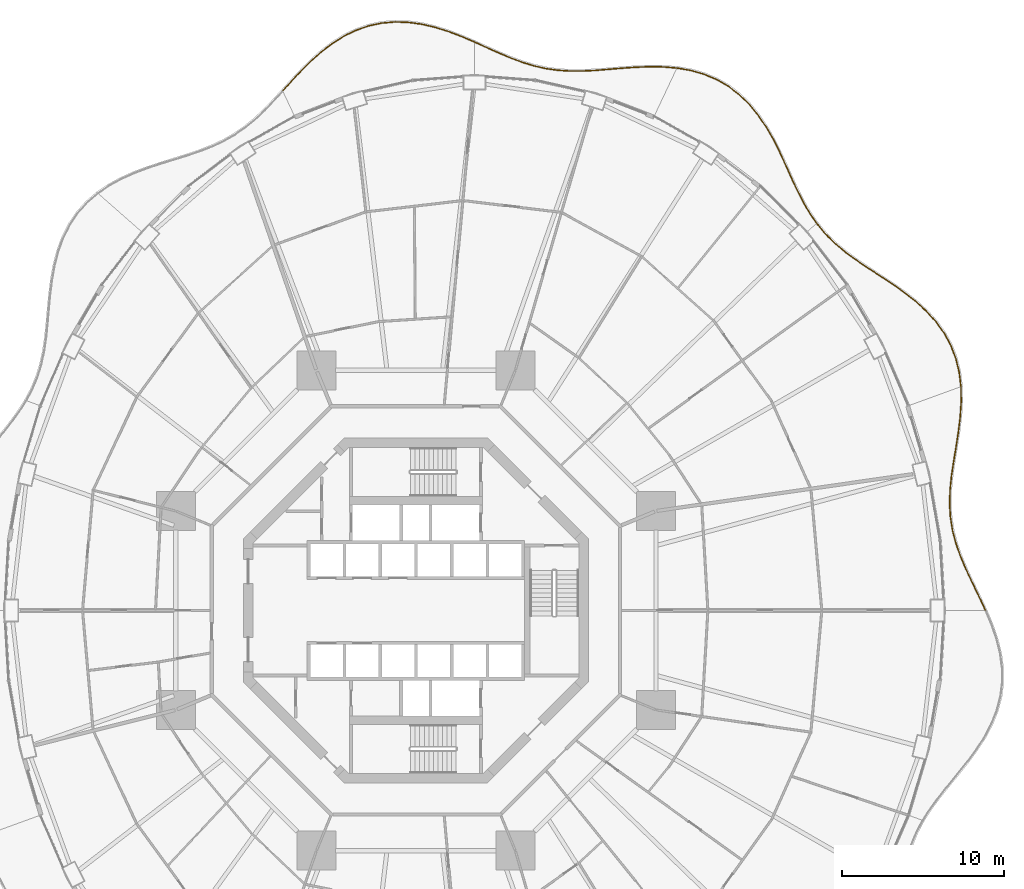
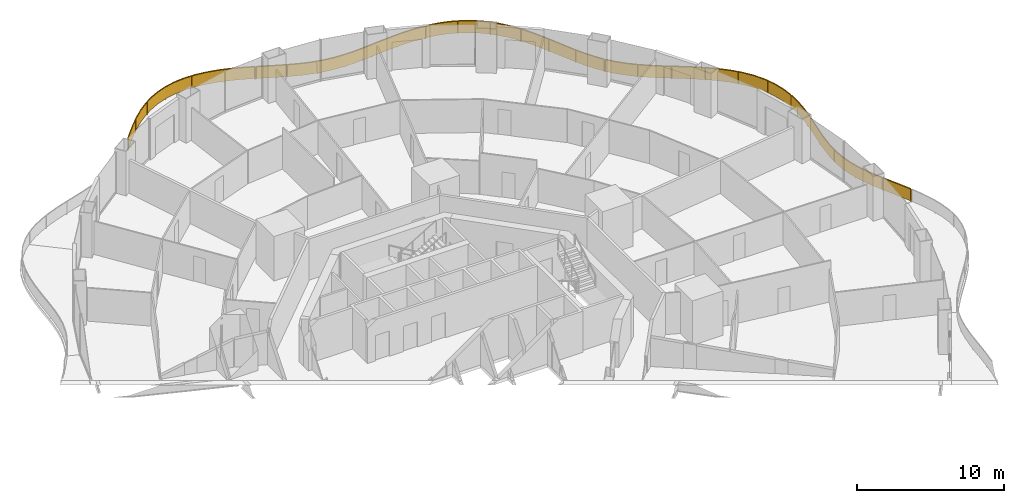
# One storey, part 21 of 21: 5 railings.
"""IFC4 building model written with IfcOpenShell, lengths in metres."""

from ifc_helpers import new_model, si_unit, direction, frame, origin, origin_2d, place, context, subcontext, project, spatial, polyline, rectangle, outline, extrude, material, type_object, element, save


model = new_model("IFC4")

# Units and contexts
model_context = context("Model", 3, precision=1e-05, world=origin(), true_north=direction((0.0, 1.0)))
body_context = subcontext(model_context, "Body", "Model", "MODEL_VIEW")
ifc_project = project(units=[si_unit("LENGTHUNIT", "METRE"), si_unit("AREAUNIT", "SQUARE_METRE"), si_unit("VOLUMEUNIT", "CUBIC_METRE"), si_unit("PLANEANGLEUNIT", "RADIAN"), si_unit("MASSUNIT", "GRAM", prefix="KILO")], contexts=[model_context])

# Site, building, storey
site_placement = place(None, origin())
site = spatial("IfcSite", under=ifc_project, at=site_placement, CompositionType="ELEMENT")
building_placement = place(site_placement, origin())
building = spatial("IfcBuilding", under=site, at=building_placement, Name="Nagisa Residences", CompositionType="ELEMENT")
storey_placement = place(building_placement, frame((0.0, 0.0, 60.300048828125)))
storey = spatial("IfcBuildingStorey", under=building, at=storey_placement, Name="L14", CompositionType="ELEMENT", Elevation=60.300048828125)

# Railings
ifc_material = material(Name="Stainless steel 316", Category="steel")
railing_type = type_object("IfcRailingType", Name="BALCONY GUARD 1100", PredefinedType="BALUSTRADE", material=ifc_material)
railing_1_placement = place(storey_placement, frame((35.0478515625, 0.03466796875, 0.0)))
element("IfcRailing", 1, at=railing_1_placement, inside=storey, type_object=railing_type, Name="guard:L14:bal00-0", PredefinedType="BALUSTRADE", context=body_context, shape_type="SweptSolid", body=[
    extrude(outline(polyline([(-0.40283203125, 0.800048828125), (-0.022705078125, -0.0107421875), (0.022705078125, 0.0107421875), (-0.357421875, 0.821533203125), (-0.762451171875, 1.6572265625), (-1.14892578125, 2.47802734375), (-1.493896484375, 3.287109375), (-1.778564453125, 4.09033203125), (-1.98779296875, 4.880615234375), (-2.117919921875, 5.69189453125), (-2.167236328125, 6.51708984375), (-2.142822265625, 7.361328125), (-2.056640625, 8.228271484375), (-1.9248046875, 9.104736328125), (-1.775634765625, 10.0166015625), (-1.630859375, 10.945068359375), (-1.516845703125, 11.883544921875), (-1.457275390625, 12.822509765625), (-1.472412109375, 13.705078125), (-1.522216796875, 13.7041015625), (-1.507568359375, 12.823486328125), (-1.566650390625, 11.887939453125), (-1.6806640625, 10.951904296875), (-1.824951171875, 10.0244140625), (-1.97412109375, 9.112548828125), (-2.1064453125, 8.234619140625), (-2.192626953125, 7.36474609375), (-2.217529296875, 6.51611328125), (-2.167724609375, 5.6865234375), (-2.03662109375, 4.870361328125), (-1.826416015625, 4.07568359375), (-1.540771484375, 3.26904296875), (-1.19482421875, 2.45751953125), (-0.807373046875, 1.6357421875), (-0.40283203125, 0.800048828125)])), frame((0.0, 0.0, 1.050048828125)), (0.0, 0.0, 1.0), 0.050048828125),
    extrude(outline(polyline([(-0.386474609375, 0.807861328125), (-0.00634765625, -0.0029296875), (0.00634765625, 0.0029296875), (-0.373779296875, 0.813720703125), (-0.778564453125, 1.6494140625), (-1.16552734375, 2.470703125), (-1.5107421875, 3.280517578125), (-1.7958984375, 4.0849609375), (-2.00537109375, 4.876953125), (-2.1357421875, 5.68994140625), (-2.185302734375, 6.5166015625), (-2.16064453125, 7.362548828125), (-2.07470703125, 8.23046875), (-1.942626953125, 9.107666015625), (-1.79345703125, 10.019287109375), (-1.64892578125, 10.947509765625), (-1.53466796875, 11.885009765625), (-1.475341796875, 12.82275390625), (-1.490234375, 13.70458984375), (-1.50439453125, 13.70458984375), (-1.489501953125, 12.8232421875), (-1.548828125, 11.886474609375), (-1.66259765625, 10.949462890625), (-1.80712890625, 10.021728515625), (-1.956298828125, 9.109619140625), (-2.08837890625, 8.232421875), (-2.1748046875, 7.363525390625), (-2.199462890625, 6.5166015625), (-2.14990234375, 5.6884765625), (-2.01904296875, 4.8740234375), (-1.80908203125, 4.0810546875), (-1.52392578125, 3.275634765625), (-1.17822265625, 2.46484375), (-0.791259765625, 1.6435546875), (-0.386474609375, 0.807861328125)])), frame((0.0, 0.0, 0.06005859375)), (0.0, 0.0, 1.0), 0.989990234375),
    extrude(rectangle(XDim=0.0400390625, YDim=0.0400390625, at=origin_2d()), origin(), (0.0, 0.0, 1.0), 1.050048828125),
    extrude(rectangle(XDim=0.0400390625, YDim=0.0400390625, at=origin_2d()), frame((-1.014404296875, 2.133544921875, 0.0)), (0.0, 0.0, 1.0), 1.050048828125),
    extrude(rectangle(XDim=0.0400390625, YDim=0.0400390625, at=origin_2d()), frame((-1.868408203125, 4.33251953125, 0.0)), (0.0, 0.0, 1.0), 1.050048828125),
    extrude(rectangle(XDim=0.0400390625, YDim=0.0400390625, at=origin_2d()), frame((-2.18798828125, 6.6640625, 0.0)), (0.0, 0.0, 1.0), 1.050048828125),
    extrude(rectangle(XDim=0.0400390625, YDim=0.0400390625, at=origin_2d()), frame((-1.9638671875, 9.01318359375, 0.0)), (0.0, 0.0, 1.0), 1.050048828125),
    extrude(rectangle(XDim=0.0400390625, YDim=0.0400390625, at=origin_2d()), frame((-1.607177734375, 11.34814453125, 0.0)), (0.0, 0.0, 1.0), 1.050048828125),
    extrude(rectangle(XDim=0.0400390625, YDim=0.0400390625, at=origin_2d()), frame((-1.497314453125, 13.70458984375, 0.0)), (0.0, 0.0, 1.0), 1.050048828125),
])
railing_2_placement = place(storey_placement, frame((33.5458984375, 13.81640625, 0.0)))
element("IfcRailing", 2, at=railing_2_placement, inside=storey, type_object=railing_type, Name="guard:L14:bal01-0", PredefinedType="BALUSTRADE", context=body_context, shape_type="SweptSolid", body=[
    extrude(outline(polyline([(-0.1240234375, 0.828369140625), (-0.02490234375, -0.0029296875), (0.02490234375, 0.0029296875), (-0.07470703125, 0.837158203125), (-0.28076171875, 1.688232421875), (-0.591796875, 2.5), (-1.007080078125, 3.265869140625), (-1.520263671875, 3.981201171875), (-2.11328125, 4.630859375), (-2.78369140625, 5.242919921875), (-3.505126953125, 5.8095703125), (-4.25732421875, 6.33935546875), (-5.018798828125, 6.8427734375), (-5.760498046875, 7.320068359375), (-6.482177734375, 7.810791015625), (-7.16015625, 8.3154296875), (-7.784912109375, 8.847412109375), (-8.35205078125, 9.417724609375), (-8.8349609375, 10.002685546875), (-8.87353515625, 9.970947265625), (-8.38916015625, 9.384033203125), (-7.819091796875, 8.810791015625), (-7.19140625, 8.2763671875), (-6.510986328125, 7.769775390625), (-5.788330078125, 7.278564453125), (-5.046142578125, 6.80078125), (-4.28564453125, 6.2978515625), (-3.534912109375, 5.76953125), (-2.81591796875, 5.204833984375), (-2.14892578125, 4.59521484375), (-1.559326171875, 3.949462890625), (-1.049560546875, 3.239013671875), (-0.63720703125, 2.47900390625), (-0.32861328125, 1.673095703125), (-0.1240234375, 0.828369140625)])), frame((0.0, 0.0, 1.050048828125)), (0.0, 0.0, 1.0), 0.050048828125),
    extrude(outline(polyline([(-0.106201171875, 0.83154296875), (-0.0068359375, -0.000732421875), (0.0068359375, 0.000732421875), (-0.092529296875, 0.833984375), (-0.298095703125, 1.682861328125), (-0.608154296875, 2.492431640625), (-1.0224609375, 3.256103515625), (-1.534423828125, 3.9697265625), (-2.126220703125, 4.617919921875), (-2.795166015625, 5.229248046875), (-3.515869140625, 5.795166015625), (-4.267578125, 6.324462890625), (-5.028564453125, 6.82763671875), (-5.7705078125, 7.30517578125), (-6.492431640625, 7.7958984375), (-7.17138671875, 8.30126953125), (-7.79736328125, 8.834228515625), (-8.365478515625, 9.405517578125), (-8.848876953125, 9.9912109375), (-8.859619140625, 9.982421875), (-8.375732421875, 9.396240234375), (-7.806640625, 8.823974609375), (-7.18017578125, 8.29052734375), (-6.500732421875, 7.78466796875), (-5.7783203125, 7.29345703125), (-5.036376953125, 6.81591796875), (-4.275390625, 6.312744140625), (-3.524169921875, 5.783935546875), (-2.804443359375, 5.218505859375), (-2.135986328125, 4.608154296875), (-1.545166015625, 3.9609375), (-1.0341796875, 3.248779296875), (-0.620849609375, 2.486572265625), (-0.311279296875, 1.678466796875), (-0.106201171875, 0.83154296875)])), frame((0.0, 0.0, 0.06005859375)), (0.0, 0.0, 1.0), 0.989990234375),
    extrude(rectangle(XDim=0.0400390625, YDim=0.0400390625, at=origin_2d()), origin(), (0.0, 0.0, 1.0), 1.050048828125),
    extrude(rectangle(XDim=0.0400390625, YDim=0.0400390625, at=origin_2d()), frame((-0.517822265625, 2.2373046875, 0.0)), (0.0, 0.0, 1.0), 1.050048828125),
    extrude(rectangle(XDim=0.0400390625, YDim=0.0400390625, at=origin_2d()), frame((-1.736572265625, 4.180908203125, 0.0)), (0.0, 0.0, 1.0), 1.050048828125),
    extrude(rectangle(XDim=0.0400390625, YDim=0.0400390625, at=origin_2d()), frame((-3.44189453125, 5.72802734375, 0.0)), (0.0, 0.0, 1.0), 1.050048828125),
    extrude(rectangle(XDim=0.0400390625, YDim=0.0400390625, at=origin_2d()), frame((-5.34912109375, 7.025634765625, 0.0)), (0.0, 0.0, 1.0), 1.050048828125),
    extrude(rectangle(XDim=0.0400390625, YDim=0.0400390625, at=origin_2d()), frame((-7.23779296875, 8.3486328125, 0.0)), (0.0, 0.0, 1.0), 1.050048828125),
    extrude(rectangle(XDim=0.0400390625, YDim=0.0400390625, at=origin_2d()), frame((-8.854248046875, 9.98681640625, 0.0)), (0.0, 0.0, 1.0), 1.050048828125),
])
railing_3_placement = place(storey_placement, frame((24.65087890625, 23.85888671875, 0.0)))
element("IfcRailing", 3, at=railing_3_placement, inside=storey, type_object=railing_type, Name="guard:L14:bal02-0", PredefinedType="BALUSTRADE", context=body_context, shape_type="SweptSolid", body=[
    extrude(outline(polyline([(-0.4345703125, 0.58837890625), (-0.0205078125, -0.01416015625), (0.0205078125, 0.01416015625), (-0.39208984375, 0.615234375), (-0.7890625, 1.29638671875), (-1.15771484375, 2.0205078125), (-1.51171875, 2.780029296875), (-1.86572265625, 3.5634765625), (-2.222412109375, 4.34765625), (-2.62060546875, 5.137451171875), (-3.060546875, 5.904541015625), (-3.55224609375, 6.632080078125), (-4.102783203125, 7.303466796875), (-4.70361328125, 7.8955078125), (-5.37744140625, 8.412353515625), (-6.111572265625, 8.839599609375), (-6.89794921875, 9.171875), (-7.727294921875, 9.41064453125), (-8.5419921875, 9.55126953125), (-8.55029296875, 9.501953125), (-7.738525390625, 9.36181640625), (-6.91455078125, 9.12451171875), (-6.134033203125, 8.794677734375), (-5.4052734375, 8.370849609375), (-4.736328125, 7.85791015625), (-4.139892578125, 7.269775390625), (-3.59228515625, 6.602294921875), (-3.10302734375, 5.878173828125), (-2.66455078125, 5.113525390625), (-2.267333984375, 4.326171875), (-1.9111328125, 3.54296875), (-1.55712890625, 2.759033203125), (-1.20263671875, 1.99853515625), (-0.8330078125, 1.2724609375), (-0.4345703125, 0.58837890625)])), frame((0.0, 0.0, 1.050048828125)), (0.0, 0.0, 1.0), 0.050048828125),
    extrude(outline(polyline([(-0.419189453125, 0.59814453125), (-0.005859375, -0.00390625), (0.005859375, 0.00390625), (-0.407470703125, 0.60546875), (-0.804931640625, 1.287841796875), (-1.173828125, 2.0126953125), (-1.528076171875, 2.7724609375), (-1.882080078125, 3.55615234375), (-2.238525390625, 4.33984375), (-2.636474609375, 5.12890625), (-3.075927734375, 5.89501953125), (-3.566650390625, 6.621337890625), (-4.1162109375, 7.291259765625), (-4.71533203125, 7.882080078125), (-5.387451171875, 8.3974609375), (-6.11962890625, 8.823486328125), (-6.90380859375, 9.15478515625), (-7.7314453125, 9.39306640625), (-8.544921875, 9.533447265625), (-8.54736328125, 9.519775390625), (-7.734375, 9.37939453125), (-6.90869140625, 9.1416015625), (-6.1259765625, 8.810791015625), (-5.395263671875, 8.3857421875), (-4.724609375, 7.871337890625), (-4.12646484375, 7.281982421875), (-3.577880859375, 6.613037109375), (-3.087646484375, 5.8876953125), (-2.648681640625, 5.1220703125), (-2.251220703125, 4.333984375), (-1.894775390625, 3.55029296875), (-1.540771484375, 2.7666015625), (-1.1865234375, 2.00634765625), (-0.817138671875, 1.281005859375), (-0.419189453125, 0.59814453125)])), frame((0.0, 0.0, 0.06005859375)), (0.0, 0.0, 1.0), 0.989990234375),
    extrude(rectangle(XDim=0.0400390625, YDim=0.0400390625, at=origin_2d()), origin(), (0.0, 0.0, 1.0), 1.050048828125),
    extrude(rectangle(XDim=0.0400390625, YDim=0.0400390625, at=origin_2d()), frame((-1.139892578125, 1.930419921875, 0.0)), (0.0, 0.0, 1.0), 1.050048828125),
    extrude(rectangle(XDim=0.0400390625, YDim=0.0400390625, at=origin_2d()), frame((-2.077880859375, 3.969970703125, 0.0)), (0.0, 0.0, 1.0), 1.050048828125),
    extrude(rectangle(XDim=0.0400390625, YDim=0.0400390625, at=origin_2d()), frame((-3.124267578125, 5.9541015625, 0.0)), (0.0, 0.0, 1.0), 1.050048828125),
    extrude(rectangle(XDim=0.0400390625, YDim=0.0400390625, at=origin_2d()), frame((-4.53369140625, 7.693115234375, 0.0)), (0.0, 0.0, 1.0), 1.050048828125),
    extrude(rectangle(XDim=0.0400390625, YDim=0.0400390625, at=origin_2d()), frame((-6.390869140625, 8.930419921875, 0.0)), (0.0, 0.0, 1.0), 1.050048828125),
    extrude(rectangle(XDim=0.0400390625, YDim=0.0400390625, at=origin_2d()), frame((-8.546142578125, 9.526611328125, 0.0)), (0.0, 0.0, 1.0), 1.050048828125),
])
railing_4_placement = place(storey_placement, frame((16.02783203125, 33.39453125, 0.0)))
element("IfcRailing", 4, at=railing_4_placement, inside=storey, type_object=railing_type, Name="guard:L14:bal03-0", PredefinedType="BALUSTRADE", context=body_context, shape_type="SweptSolid", body=[
    extrude(outline(polyline([(-0.802490234375, 0.040771484375), (-0.001953125, -0.02490234375), (0.001953125, 0.02490234375), (-0.800048828125, 0.090576171875), (-1.658447265625, 0.10302734375), (-2.51611328125, 0.070556640625), (-3.36376953125, 0.010986328125), (-4.19580078125, -0.058349609375), (-4.990478515625, -0.125244140625), (-5.779296875, -0.16259765625), (-6.54638671875, -0.16259765625), (-7.29345703125, -0.114013671875), (-8.02587890625, -0.010009765625), (-8.7314453125, 0.149658203125), (-9.451904296875, 0.3681640625), (-10.176025390625, 0.636962890625), (-10.910400390625, 0.945556640625), (-11.659423828125, 1.280029296875), (-12.383056640625, 1.607177734375), (-12.403564453125, 1.561767578125), (-11.679931640625, 1.234619140625), (-10.930419921875, 0.899658203125), (-10.194580078125, 0.590576171875), (-9.468017578125, 0.32080078125), (-8.744140625, 0.101318359375), (-8.03515625, -0.059326171875), (-7.298828125, -0.163818359375), (-6.5478515625, -0.212890625), (-5.7783203125, -0.212890625), (-4.987060546875, -0.175048828125), (-4.19140625, -0.108154296875), (-3.35986328125, -0.038818359375), (-2.51318359375, 0.020751953125), (-1.657958984375, 0.052734375), (-0.802490234375, 0.040771484375)])), frame((0.0, 0.0, 1.050048828125)), (0.0, 0.0, 1.0), 0.050048828125),
    extrude(outline(polyline([(-0.801513671875, 0.05859375), (-0.00048828125, -0.007080078125), (0.00048828125, 0.007080078125), (-0.801025390625, 0.07275390625), (-1.658203125, 0.0849609375), (-2.51513671875, 0.052734375), (-3.3623046875, -0.0068359375), (-4.194091796875, -0.076171875), (-4.9892578125, -0.14306640625), (-5.779052734375, -0.1806640625), (-6.546875, -0.1806640625), (-7.29541015625, -0.1318359375), (-8.029296875, -0.02783203125), (-8.736083984375, 0.13232421875), (-9.457763671875, 0.35107421875), (-10.1826171875, 0.620361328125), (-10.917724609375, 0.928955078125), (-11.666748046875, 1.263671875), (-12.390380859375, 1.5908203125), (-12.396240234375, 1.578125), (-11.672607421875, 1.2509765625), (-10.923095703125, 0.916259765625), (-10.18798828125, 0.607177734375), (-9.462158203125, 0.337890625), (-8.739501953125, 0.11865234375), (-8.03173828125, -0.04150390625), (-7.296875, -0.14599609375), (-6.54736328125, -0.19482421875), (-5.778564453125, -0.19482421875), (-4.98828125, -0.1572265625), (-4.193115234375, -0.09033203125), (-3.361328125, -0.02099609375), (-2.51416015625, 0.03857421875), (-1.658203125, 0.07080078125), (-0.801513671875, 0.05859375)])), frame((0.0, 0.0, 0.06005859375)), (0.0, 0.0, 1.0), 0.989990234375),
    extrude(rectangle(XDim=0.0400390625, YDim=0.0400390625, at=origin_2d()), origin(), (0.0, 0.0, 1.0), 1.050048828125),
    extrude(rectangle(XDim=0.0400390625, YDim=0.0400390625, at=origin_2d()), frame((-2.116455078125, 0.060546875, 0.0)), (0.0, 0.0, 1.0), 1.050048828125),
    extrude(rectangle(XDim=0.0400390625, YDim=0.0400390625, at=origin_2d()), frame((-4.23046875, -0.08642578125, 0.0)), (0.0, 0.0, 1.0), 1.050048828125),
    extrude(rectangle(XDim=0.0400390625, YDim=0.0400390625, at=origin_2d()), frame((-6.346435546875, -0.187744140625, 0.0)), (0.0, 0.0, 1.0), 1.050048828125),
    extrude(rectangle(XDim=0.0400390625, YDim=0.0400390625, at=origin_2d()), frame((-8.446533203125, 0.0595703125, 0.0)), (0.0, 0.0, 1.0), 1.050048828125),
    extrude(rectangle(XDim=0.0400390625, YDim=0.0400390625, at=origin_2d()), frame((-10.455078125, 0.72705078125, 0.0)), (0.0, 0.0, 1.0), 1.050048828125),
    extrude(rectangle(XDim=0.0400390625, YDim=0.0400390625, at=origin_2d()), frame((-12.393310546875, 1.58447265625, 0.0)), (0.0, 0.0, 1.0), 1.050048828125),
])
railing_5_placement = place(storey_placement, frame((3.565185546875, 35.010986328125, 0.0)))
element("IfcRailing", 5, at=railing_5_placement, inside=storey, type_object=railing_type, Name="guard:L14:bal04-0", PredefinedType="BALUSTRADE", context=body_context, shape_type="SweptSolid", body=[
    extrude(outline(polyline([(-0.751708984375, 0.2958984375), (-0.009765625, -0.02294921875), (0.009765625, 0.02294921875), (-0.733154296875, 0.34228515625), (-1.53857421875, 0.648681640625), (-2.360595703125, 0.907958984375), (-3.193603515625, 1.1025390625), (-4.031494140625, 1.218017578125), (-4.85107421875, 1.24560546875), (-5.67724609375, 1.172607421875), (-6.4853515625, 0.99853515625), (-7.267578125, 0.7255859375), (-8.01904296875, 0.35986328125), (-8.71826171875, -0.08349609375), (-9.39697265625, -0.600830078125), (-10.039306640625, -1.170654296875), (-10.64892578125, -1.77587890625), (-11.23095703125, -2.397705078125), (-11.760009765625, -2.986083984375), (-11.722900390625, -3.019775390625), (-11.19384765625, -2.431396484375), (-10.61279296875, -1.810546875), (-10.005126953125, -1.207275390625), (-9.365234375, -0.639404296875), (-8.689453125, -0.12451171875), (-7.99462890625, 0.31591796875), (-7.24853515625, 0.67919921875), (-6.4716796875, 0.9501953125), (-5.669921875, 1.122802734375), (-4.849609375, 1.1953125), (-4.035888671875, 1.168212890625), (-3.202880859375, 1.05322265625), (-2.373779296875, 0.859619140625), (-1.55517578125, 0.601318359375), (-0.751708984375, 0.2958984375)])), frame((0.0, 0.0, 1.050048828125)), (0.0, 0.0, 1.0), 0.050048828125),
    extrude(outline(polyline([(-0.7451171875, 0.3125), (-0.002685546875, -0.00634765625), (0.002685546875, 0.00634765625), (-0.73974609375, 0.32568359375), (-1.544677734375, 0.631591796875), (-2.365234375, 0.890625), (-3.197021484375, 1.084716796875), (-4.033203125, 1.2001953125), (-4.8505859375, 1.2275390625), (-5.674560546875, 1.154541015625), (-6.48046875, 0.981201171875), (-7.2607421875, 0.708984375), (-8.01025390625, 0.343994140625), (-8.707763671875, -0.09814453125), (-9.385498046875, -0.61474609375), (-10.027099609375, -1.183837890625), (-10.635986328125, -1.788330078125), (-11.217529296875, -2.409912109375), (-11.74658203125, -2.998291015625), (-11.736328125, -3.007568359375), (-11.207275390625, -2.419189453125), (-10.625732421875, -1.798095703125), (-10.017333984375, -1.194091796875), (-9.376708984375, -0.62548828125), (-8.699951171875, -0.10986328125), (-8.00341796875, 0.331787109375), (-7.25537109375, 0.69580078125), (-6.4765625, 0.967529296875), (-5.672607421875, 1.140869140625), (-4.85009765625, 1.21337890625), (-4.0341796875, 1.18603515625), (-3.199462890625, 1.071044921875), (-2.369140625, 0.876953125), (-1.549072265625, 0.618408203125), (-0.7451171875, 0.3125)])), frame((0.0, 0.0, 0.06005859375)), (0.0, 0.0, 1.0), 0.989990234375),
    extrude(rectangle(XDim=0.0400390625, YDim=0.0400390625, at=origin_2d()), origin(), (0.0, 0.0, 1.0), 1.050048828125),
    extrude(rectangle(XDim=0.0400390625, YDim=0.0400390625, at=origin_2d()), frame((-2.0830078125, 0.794189453125, 0.0)), (0.0, 0.0, 1.0), 1.050048828125),
    extrude(rectangle(XDim=0.0400390625, YDim=0.0400390625, at=origin_2d()), frame((-4.26953125, 1.200927734375, 0.0)), (0.0, 0.0, 1.0), 1.050048828125),
    extrude(rectangle(XDim=0.0400390625, YDim=0.0400390625, at=origin_2d()), frame((-6.478271484375, 0.974365234375, 0.0)), (0.0, 0.0, 1.0), 1.050048828125),
    extrude(rectangle(XDim=0.0400390625, YDim=0.0400390625, at=origin_2d()), frame((-8.489990234375, 0.031494140625, 0.0)), (0.0, 0.0, 1.0), 1.050048828125),
    extrude(rectangle(XDim=0.0400390625, YDim=0.0400390625, at=origin_2d()), frame((-10.213134765625, -1.378662109375, 0.0)), (0.0, 0.0, 1.0), 1.050048828125),
    extrude(rectangle(XDim=0.0400390625, YDim=0.0400390625, at=origin_2d()), frame((-11.741455078125, -3.0029296875, 0.0)), (0.0, 0.0, 1.0), 1.050048828125),
])

save(model, "model.ifc")
